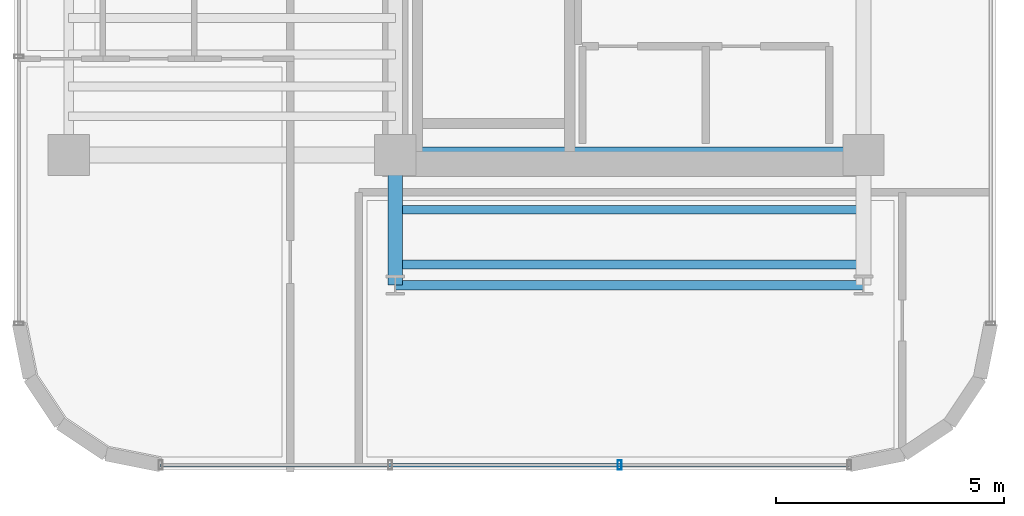
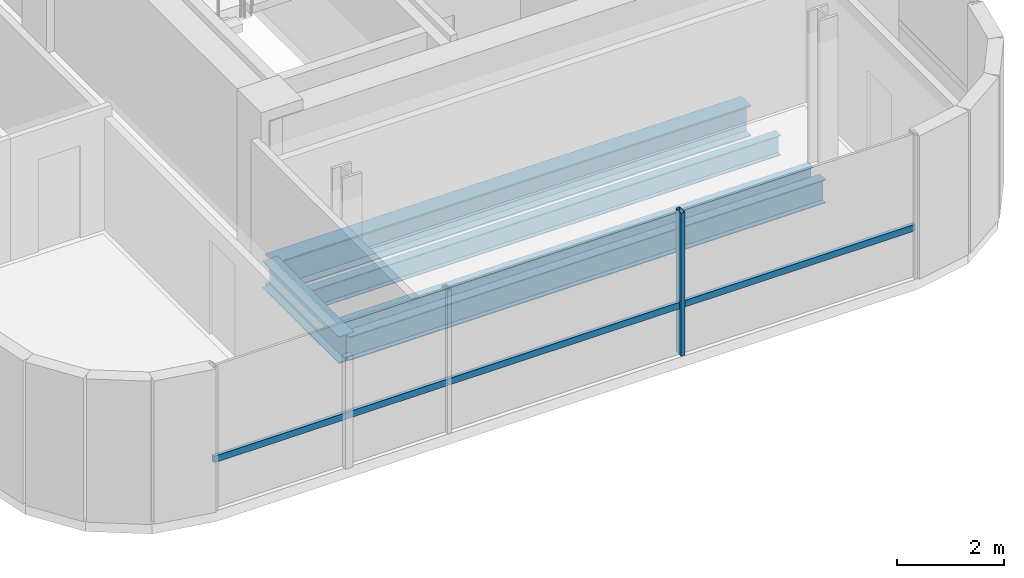
# One storey, part 3 of 22: 5 beams, 2 members, 1 element without a shape of its own.
"""IFC4 building model written with IfcOpenShell, lengths in metres."""

from ifc_helpers import new_model, si_unit, direction, frame, origin, origin_2d, place, context, subcontext, project, spatial, hollow_rectangle, i_section, extrude, source, transform, mapped, material, material_profile, profile_set, type_object, element, aggregate, save


model = new_model("IFC4")

# Units and contexts
model_context = context("Model", 3, precision=1e-05, world=origin(), true_north=direction((0.0, 1.0)))
body_context = subcontext(model_context, "Body", "Model", "MODEL_VIEW")
ifc_project = project(units=[si_unit("LENGTHUNIT", "METRE"), si_unit("AREAUNIT", "SQUARE_METRE"), si_unit("VOLUMEUNIT", "CUBIC_METRE"), si_unit("PLANEANGLEUNIT", "RADIAN"), si_unit("MASSUNIT", "GRAM", prefix="KILO")], contexts=[model_context])

# Site, building, storey
site_placement = place(None, origin())
site = spatial("IfcSite", under=ifc_project, at=site_placement, CompositionType="ELEMENT")
building_placement = place(site_placement, origin())
building = spatial("IfcBuilding", under=site, at=building_placement, Name="Valdorenza Pilgrim Sanctuary Tower", CompositionType="ELEMENT")
storey_placement = place(building_placement, frame((0.0, 0.0, 209.0)))
storey = spatial("IfcBuildingStorey", under=building, at=storey_placement, Name="L53", CompositionType="ELEMENT", Elevation=209.0)

# Beams
ifc_material_1 = material(Name="Steel ASTM A992 Grade 50", Category="steel")
ifc_material_profile_1 = material_profile(ifc_material_1, i_section(OverallWidth=0.323974609375, OverallDepth=0.611083984375, WebThickness=0.0126953125, FlangeThickness=0.01904296875, at=origin_2d()), Name="W24X104")
ifc_profile_set_1 = profile_set([ifc_material_profile_1], Name="Steel ASTM A992 Grade 50")
beam_type_1 = type_object("IfcBeamType", Name="STR-BM-GRD-W24B", PredefinedType="BEAM", material=ifc_profile_set_1)
shared_shape_1 = source(origin(), body_context, "Body", "SweptSolid", [
    extrude(i_section(OverallWidth=0.323974609375, OverallDepth=0.611083984375, WebThickness=0.0126953125, FlangeThickness=0.01904296875, at=origin_2d()), origin(), (0.0, 0.0, 1.0), 2.849853515625),
])
beam_1_placement = place(storey_placement, frame((-22.64990234375, -13.449951171875, -0.54541015625), z_axis=(0.0, 1.0, 0.0), x_axis=(-1.0, 0.0, 0.0)))
element("IfcBeam", 1, at=beam_1_placement, inside=storey, type_object=beam_type_1, Name="L53 Floor Girder WA-S-LW", PredefinedType="BEAM", context=body_context, shape_type="MappedRepresentation", body=[
    mapped(shared_shape_1, transform((0.0, 0.0, 0.0), x_axis=(1.0, 0.0, 0.0), y_axis=(0.0, 1.0, 0.0), z_axis=(0.0, 0.0, 1.0), scale=1.0)),
])
ifc_material_profile_2 = material_profile(ifc_material_1, i_section(OverallWidth=0.19091796875, OverallDepth=0.45703125, WebThickness=0.009033203125, FlangeThickness=0.014404296875, at=origin_2d()), Name="W18X50")
ifc_profile_set_2 = profile_set([ifc_material_profile_2], Name="Steel ASTM A992 Grade 50")
beam_type_2 = type_object("IfcBeamType", Name="STR-BM-JST-W18B", PredefinedType="JOIST", material=ifc_profile_set_2)
shared_shape_2 = source(origin(), body_context, "Body", "SweptSolid", [
    extrude(i_section(OverallWidth=0.19091796875, OverallDepth=0.45703125, WebThickness=0.009033203125, FlangeThickness=0.014404296875, at=origin_2d()), origin(), (0.0, 0.0, 1.0), 10.25),
])
for number, where, z_axis, x_axis, name in (
    (2, (-22.64990234375, -13.0, -0.468505859375), (1.0, 0.0, 0.0), (0.0, 1.0, 0.0), "L53 Composite Floor Joist JST-WAS-1"),
    (3, (-22.64990234375, -11.800048828125, -0.468505859375), (1.0, 0.0, 0.0), (0.0, 1.0, 0.0), "L53 Composite Floor Joist JST-WAS-2"),
):
    element("IfcBeam", number, at=place(storey_placement, frame(where, z_axis=z_axis, x_axis=x_axis)), inside=storey, type_object=beam_type_2, Name=name, PredefinedType="JOIST", context=body_context, shape_type="MappedRepresentation", body=[
        mapped(shared_shape_2, transform((0.0, 0.0, 0.0), x_axis=(1.0, 0.0, 0.0), y_axis=(0.0, 1.0, 0.0), z_axis=(0.0, 0.0, 1.0), scale=1.0)),
    ])
ifc_material_profile_3 = material_profile(ifc_material_1, i_section(OverallWidth=0.2109375, OverallDepth=0.5390625, WebThickness=0.01171875, FlangeThickness=0.018798828125, at=origin_2d()), Name="W21X73")
ifc_profile_set_3 = profile_set([ifc_material_profile_3], Name="Steel ASTM A992 Grade 50")
beam_type_3 = type_object("IfcBeamType", Name="STR-BM-SPN-W21B", PredefinedType="SPANDREL", material=ifc_profile_set_3)
shared_shape_3 = source(origin(), body_context, "Body", "SweptSolid", [
    extrude(i_section(OverallWidth=0.2109375, OverallDepth=0.5390625, WebThickness=0.01171875, FlangeThickness=0.018798828125, at=origin_2d()), origin(), (0.0, 0.0, 1.0), 10.25),
])
beam_2_placement = place(storey_placement, frame((-22.64990234375, -13.449951171875, -0.509521484375), z_axis=(1.0, 0.0, 0.0), x_axis=(0.0, 1.0, 0.0)))
element("IfcBeam", 4, at=beam_2_placement, inside=storey, type_object=beam_type_3, Name="L53 South Spandrel WA-S-TIE", PredefinedType="SPANDREL", context=body_context, shape_type="MappedRepresentation", body=[
    mapped(shared_shape_3, transform((0.0, 0.0, 0.0), x_axis=(1.0, 0.0, 0.0), y_axis=(0.0, 1.0, 0.0), z_axis=(0.0, 0.0, 1.0), scale=1.0)),
])
ifc_material_profile_4 = material_profile(ifc_material_1, i_section(OverallWidth=0.35595703125, OverallDepth=0.700927734375, WebThickness=0.016845703125, FlangeThickness=0.02734375, at=origin_2d()), Name="W27X161")
ifc_profile_set_4 = profile_set([ifc_material_profile_4], Name="Steel ASTM A992 Grade 50")
beam_type_4 = type_object("IfcBeamType", Name="STR-BM-GRD-W27", PredefinedType="BEAM", material=ifc_profile_set_4)
shared_shape_4 = source(origin(), body_context, "Body", "SweptSolid", [
    extrude(i_section(OverallWidth=0.35595703125, OverallDepth=0.700927734375, WebThickness=0.016845703125, FlangeThickness=0.02734375, at=origin_2d()), origin(), (0.0, 0.0, 1.0), 10.25),
])
beam_3_placement = place(storey_placement, frame((-22.64990234375, -10.60009765625, -0.590576171875), z_axis=(1.0, 0.0, 0.0), x_axis=(0.0, 1.0, 0.0)))
element("IfcBeam", 5, at=beam_3_placement, inside=storey, type_object=beam_type_4, Name="L53 Floor Girder CA-XC-S1", PredefinedType="BEAM", context=body_context, shape_type="MappedRepresentation", body=[
    mapped(shared_shape_4, transform((0.0, 0.0, 0.0), x_axis=(1.0, 0.0, 0.0), y_axis=(0.0, 1.0, 0.0), z_axis=(0.0, 0.0, 1.0), scale=1.0)),
])

# Curtain wall, members
ifc_material_2 = material(Name="Curtain-wall IGU glazing", Category="glass")
curtain_wall_type = type_object("IfcCurtainWallType", Name="CW-SYS-02", PredefinedType="NOTDEFINED", material=ifc_material_2)
curtain_wall_placement = place(storey_placement, origin())
curtain_wall = element("IfcCurtainWall", 6, at=curtain_wall_placement, inside=storey, type_object=curtain_wall_type, Name="L53 Curtain Wall CW-L53-1-26", PredefinedType="NOTDEFINED")
ifc_material_3 = material(Name="Anodised aluminium AW-6060", Category="aluminium")
ifc_material_profile_5 = material_profile(ifc_material_3, hollow_rectangle(XDim=0.074951171875, YDim=0.14990234375, WallThickness=0.00390625, at=origin_2d()), Name="ALU-T 150x75x4")
ifc_profile_set_5 = profile_set([ifc_material_profile_5], Name="Anodised aluminium AW-6060")
member_type_1 = type_object("IfcMemberType", Name="CW-TRN-02", PredefinedType="USERDEFINED", material=ifc_profile_set_5)
shared_shape_5 = source(origin(), body_context, "Body", "SweptSolid", [
    extrude(hollow_rectangle(XDim=0.074951171875, YDim=0.14990234375, WallThickness=0.00390625, at=origin_2d()), origin(), (0.0, 0.0, 1.0), 15.07861328125),
])
member_1_placement = place(storey_placement, frame((-12.710693359375, -17.389892578125, 1.1201171875), z_axis=(-1.0, 0.0, 0.0), x_axis=(0.0, -1.0, 0.0)))
member_1 = element("IfcMember", 7, at=member_1_placement, type_object=member_type_1, Name="CW-L53-1-26 Transom 1", ObjectType="TRANSOM", PredefinedType="USERDEFINED", context=body_context, shape_type="MappedRepresentation", body=[
    mapped(shared_shape_5, transform((0.0, 0.0, 0.0), x_axis=(1.0, 0.0, 0.0), y_axis=(0.0, 1.0, 0.0), z_axis=(0.0, 0.0, 1.0), scale=1.0)),
])
ifc_material_profile_6 = material_profile(ifc_material_3, hollow_rectangle(XDim=0.0849609375, YDim=0.199951171875, WallThickness=0.0048828125, at=origin_2d()), Name="ALU-M 200x85x5")
ifc_profile_set_6 = profile_set([ifc_material_profile_6], Name="Anodised aluminium AW-6060")
member_type_2 = type_object("IfcMemberType", Name="CW-MUL-02", PredefinedType="MULLION", material=ifc_profile_set_6)
shared_shape_6 = source(origin(), body_context, "Body", "SweptSolid", [
    extrude(hollow_rectangle(XDim=0.0849609375, YDim=0.199951171875, WallThickness=0.0048828125, at=origin_2d()), origin(), (0.0, 0.0, 1.0), 3.260009765625),
])
member_2_placement = place(storey_placement, frame((-17.73681640625, -17.389892578125, 0.0), z_axis=(0.0, 0.0, 1.0), x_axis=(-1.0, 0.0, 0.0)))
member_2 = element("IfcMember", 8, at=member_2_placement, type_object=member_type_2, Name="CW-L53-1-26 Mullion 2", PredefinedType="MULLION", context=body_context, shape_type="MappedRepresentation", body=[
    mapped(shared_shape_6, transform((0.0, 0.0, 0.0), x_axis=(1.0, 0.0, 0.0), y_axis=(0.0, 1.0, 0.0), z_axis=(0.0, 0.0, 1.0), scale=1.0)),
])
aggregate(curtain_wall, [member_2, member_1])

save(model, "model.ifc")
